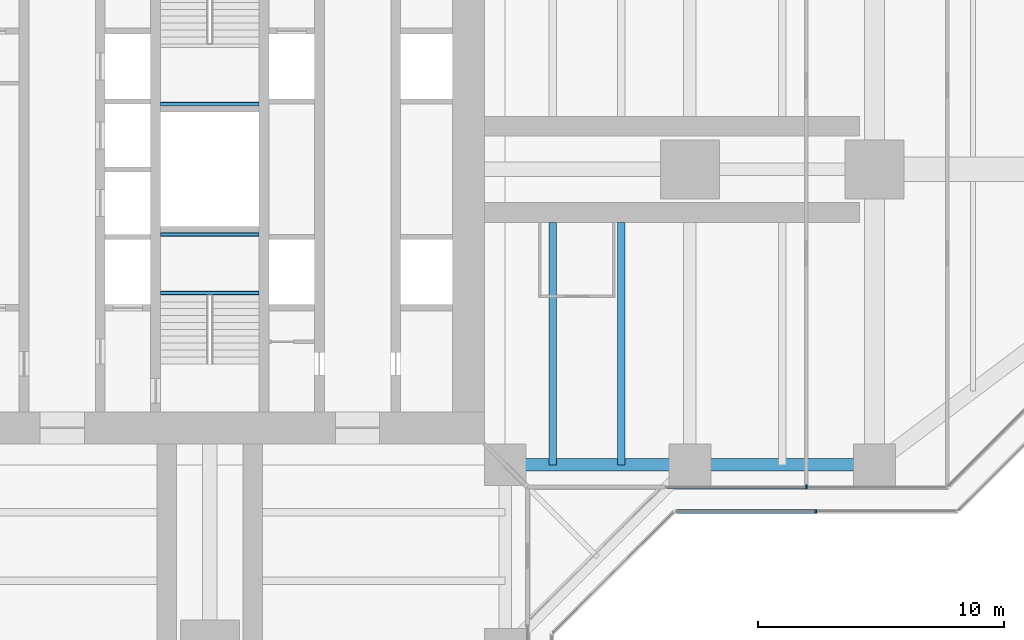
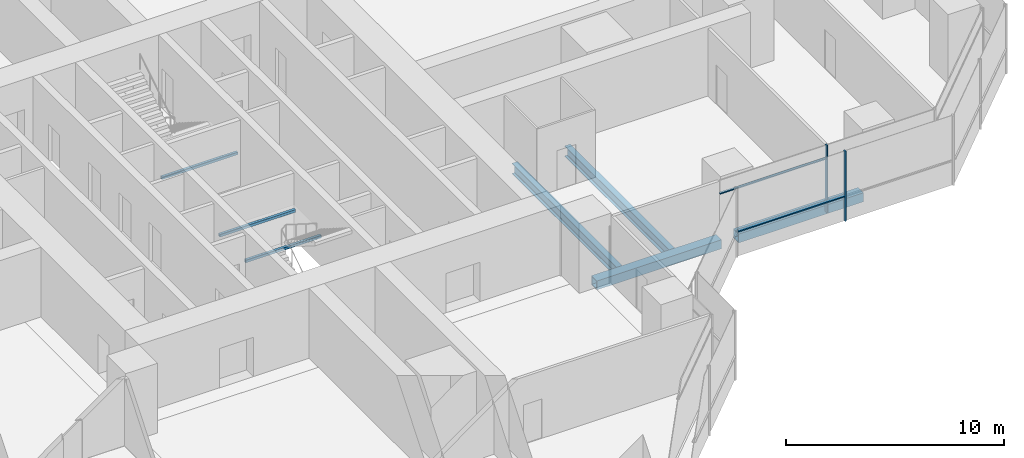
# One storey, part 5 of 20: 7 beams, 4 members, 2 elements without a shape of their own.
"""IFC4 building model written with IfcOpenShell, lengths in metres."""

from ifc_helpers import new_model, si_unit, direction, frame, origin, origin_2d, place, context, subcontext, project, spatial, rectangle, hollow_rectangle, i_section, extrude, material, material_profile, profile_set, type_object, element, aggregate, save


model = new_model("IFC4")

# Units and contexts
model_context = context("Model", 3, precision=1e-05, world=origin(), true_north=direction((0.0, 1.0)))
body_context = subcontext(model_context, "Body", "Model", "MODEL_VIEW")
ifc_project = project(units=[si_unit("LENGTHUNIT", "METRE"), si_unit("AREAUNIT", "SQUARE_METRE"), si_unit("VOLUMEUNIT", "CUBIC_METRE"), si_unit("PLANEANGLEUNIT", "RADIAN"), si_unit("MASSUNIT", "GRAM", prefix="KILO")], contexts=[model_context])

# Site, building, storey
site_placement = place(None, origin())
site = spatial("IfcSite", under=ifc_project, at=site_placement, CompositionType="ELEMENT")
building_placement = place(site_placement, origin())
building = spatial("IfcBuilding", under=site, at=building_placement, Name="Mizan Broadcast Tower", CompositionType="ELEMENT")
storey_placement = place(building_placement, frame((0.0, 0.0, 171.0)))
storey = spatial("IfcBuildingStorey", under=building, at=storey_placement, Name="L39", CompositionType="ELEMENT", Elevation=171.0)

# Beams
ifc_material_1 = material(Name="Steel S355", Category="steel")
ifc_material_profile_1 = material_profile(ifc_material_1, hollow_rectangle(XDim=0.5, YDim=0.5, WallThickness=0.030029296875, at=origin_2d()), Name="BOX 500x500x30")
ifc_profile_set_1 = profile_set([ifc_material_profile_1], Name="Steel S355")
beam_type_1 = type_object("IfcBeamType", Name="EDGE BEAM BOX 500x500x30", PredefinedType="SPANDREL", material=ifc_profile_set_1)
for number, where, z_axis, x_axis, name in (
    (1, (12.449951171875, -12.0, -0.3798828125), (1.0, 0.0, 0.0), (0.0, 1.0, 0.0), "Edge beam BOX 500x500x30 L39 east arm"),
    (2, (19.949951171875, -12.0, -0.3798828125), (1.0, 0.0, 0.0), (0.0, 1.0, 0.0), "Edge beam BOX 500x500x30 L39 east arm"),
):
    element("IfcBeam", number, at=place(storey_placement, frame(where, z_axis=z_axis, x_axis=x_axis)), inside=storey, type_object=beam_type_1, Name=name, PredefinedType="SPANDREL", context=body_context, shape_type="SweptSolid", body=[
        extrude(hollow_rectangle(XDim=0.5, YDim=0.5, WallThickness=0.030029296875, at=origin_2d()), origin(), (0.0, 0.0, 1.0), 6.60009765625),
    ])

# Curtain wall, members
ifc_material_2 = material(Name="Aluminium framed glazing", Category="aluminium")
curtain_wall_type_1 = type_object("IfcCurtainWallType", Name="INNER SKIN MID ZONE", PredefinedType="USERDEFINED", material=ifc_material_2)
curtain_wall_1_placement = place(storey_placement, origin())
curtain_wall_1 = element("IfcCurtainWall", 3, at=curtain_wall_1_placement, inside=storey, type_object=curtain_wall_type_1, Name="Inner skin mid zone L39 E side", ObjectType="INNER SKIN MID ZONE", PredefinedType="USERDEFINED")
ifc_material_3 = material(Name="Aluminium, pale anodised", Category="aluminium")
ifc_material_profile_2 = material_profile(ifc_material_3, rectangle(XDim=0.159912109375, YDim=0.06005859375, at=origin_2d()), Name="MULLION 160x60")
ifc_profile_set_2 = profile_set([ifc_material_profile_2], Name="Aluminium, pale anodised")
member_type_1 = type_object("IfcMemberType", Name="INNER SKIN MULLION 60x160", PredefinedType="MULLION", material=ifc_profile_set_2)
member_1_placement = place(storey_placement, frame((24.229248046875, -12.89990234375, 0.0), z_axis=(0.0, 0.0, 1.0), x_axis=(0.0, 1.0, 0.0)))
member_1 = element("IfcMember", 4, at=member_1_placement, type_object=member_type_1, Name="Inner skin mid zone L39 E side mullion 2", PredefinedType="MULLION", context=body_context, shape_type="SweptSolid", body=[
    extrude(rectangle(XDim=0.159912109375, YDim=0.06005859375, at=origin_2d()), origin(), (0.0, 0.0, 1.0), 3.77001953125),
])
ifc_material_4 = material(Name="Aluminium, pale anodised", Category="aluminium")
ifc_material_profile_3 = material_profile(ifc_material_4, rectangle(XDim=0.1201171875, YDim=0.06005859375, at=origin_2d()), Name="TRANSOM 120x60")
ifc_profile_set_3 = profile_set([ifc_material_profile_3], Name="Aluminium, pale anodised")
member_type_2 = type_object("IfcMemberType", Name="INNER SKIN TRANSOM 60x120", PredefinedType="USERDEFINED", material=ifc_profile_set_3)
member_2_placement = place(storey_placement, frame((18.56005859375, -12.89990234375, 3.030029296875), z_axis=(1.0, 0.0, 0.0), x_axis=(0.0, 1.0, 0.0)))
member_2 = element("IfcMember", 5, at=member_2_placement, type_object=member_type_2, Name="Inner skin mid zone L39 E side transom 1.1", ObjectType="TRANSOM", PredefinedType="USERDEFINED", context=body_context, shape_type="SweptSolid", body=[
    extrude(rectangle(XDim=0.1201171875, YDim=0.06005859375, at=origin_2d()), origin(), (0.0, 0.0, 1.0), 5.63916015625),
])
aggregate(curtain_wall_1, [member_1, member_2])

# Beams
ifc_material_5 = material(Name="Steel S355", Category="steel")
ifc_material_profile_4 = material_profile(ifc_material_5, hollow_rectangle(XDim=0.14990234375, YDim=0.14990234375, WallThickness=0.008056640625, InnerFilletRadius=0.008056640625, OuterFilletRadius=0.011962890625, at=origin_2d()), Name="SHS 150x150x8")
ifc_profile_set_4 = profile_set([ifc_material_profile_4], Name="Steel S355")
beam_type_2 = type_object("IfcBeamType", Name="LANDING TRIMMER SHS 150x150x8", PredefinedType="BEAM", material=ifc_profile_set_4)
for number, where, z_axis, x_axis, name in (
    (6, (-2.0, -5.02490234375, 1.675048828125), (1.0, 0.0, 0.0), (0.0, 1.0, 0.0), "Stair A landing trimmer L39"),
    (7, (-2.0, -2.64990234375, 1.675048828125), (1.0, 0.0, 0.0), (0.0, 1.0, 0.0), "Stair A landing trimmer L39"),
    (8, (2.0, 2.64990234375, 1.675048828125), (-1.0, 0.0, 0.0), (0.0, -1.0, 0.0), "Stair B landing trimmer L39"),
):
    element("IfcBeam", number, at=place(storey_placement, frame(where, z_axis=z_axis, x_axis=x_axis)), inside=storey, type_object=beam_type_2, Name=name, PredefinedType="BEAM", context=body_context, shape_type="SweptSolid", body=[
        extrude(hollow_rectangle(XDim=0.14990234375, YDim=0.14990234375, WallThickness=0.008056640625, InnerFilletRadius=0.008056640625, OuterFilletRadius=0.011962890625, at=origin_2d()), origin(), (0.0, 0.0, 1.0), 4.0),
    ])

# Curtain wall, members
ifc_material_6 = material(Name="Aluminium framed glazing", Category="aluminium")
curtain_wall_type_2 = type_object("IfcCurtainWallType", Name="OUTER SKIN", PredefinedType="USERDEFINED", material=ifc_material_6)
curtain_wall_2_placement = place(storey_placement, origin())
curtain_wall_2 = element("IfcCurtainWall", 9, at=curtain_wall_2_placement, inside=storey, type_object=curtain_wall_type_2, Name="Outer skin L39 E side", ObjectType="OUTER SKIN", PredefinedType="USERDEFINED")
ifc_material_7 = material(Name="Aluminium, pale anodised", Category="aluminium")
ifc_material_profile_5 = material_profile(ifc_material_7, rectangle(XDim=0.159912109375, YDim=0.080078125, at=origin_2d()), Name="MULLION 160x80")
ifc_profile_set_5 = profile_set([ifc_material_profile_5], Name="Aluminium, pale anodised")
member_type_3 = type_object("IfcMemberType", Name="OUTER SKIN MULLION 80x160", PredefinedType="MULLION", material=ifc_profile_set_5)
member_3_placement = place(storey_placement, frame((24.622802734375, -13.89990234375, 0.0), z_axis=(0.0, 0.0, 1.0), x_axis=(0.0, 1.0, 0.0)))
member_3 = element("IfcMember", 10, at=member_3_placement, type_object=member_type_3, Name="Outer skin L39 E side mullion 2", PredefinedType="MULLION", context=body_context, shape_type="SweptSolid", body=[
    extrude(rectangle(XDim=0.159912109375, YDim=0.080078125, at=origin_2d()), origin(), (0.0, 0.0, 1.0), 3.89990234375),
])
ifc_material_8 = material(Name="Aluminium, pale anodised", Category="aluminium")
ifc_material_profile_6 = material_profile(ifc_material_8, rectangle(XDim=0.159912109375, YDim=0.06005859375, at=origin_2d()), Name="TRANSOM 160x60")
ifc_profile_set_6 = profile_set([ifc_material_profile_6], Name="Aluminium, pale anodised")
member_type_4 = type_object("IfcMemberType", Name="OUTER SKIN TRANSOM 60x160", PredefinedType="USERDEFINED", material=ifc_profile_set_6)
member_4_placement = place(storey_placement, frame((18.952880859375, -13.89990234375, 1.39990234375), z_axis=(1.0, 0.0, 0.0), x_axis=(0.0, 1.0, 0.0)))
member_4 = element("IfcMember", 11, at=member_4_placement, type_object=member_type_4, Name="Outer skin L39 E side transom 1.1", ObjectType="TRANSOM", PredefinedType="USERDEFINED", context=body_context, shape_type="SweptSolid", body=[
    extrude(rectangle(XDim=0.159912109375, YDim=0.06005859375, at=origin_2d()), origin(), (0.0, 0.0, 1.0), 5.6298828125),
])
aggregate(curtain_wall_2, [member_3, member_4])

# Beams
ifc_material_9 = material(Name="Steel S355", Category="steel")
ifc_material_profile_7 = material_profile(ifc_material_9, i_section(OverallWidth=0.300048828125, OverallDepth=0.590087890625, WebThickness=0.012939453125, FlangeThickness=0.02490234375, FilletRadius=0.027099609375, at=origin_2d()), Name="HEA 600")
ifc_profile_set_7 = profile_set([ifc_material_profile_7], Name="Steel S355")
beam_type_3 = type_object("IfcBeamType", Name="SECONDARY BEAM HEA 600", PredefinedType="JOIST", material=ifc_profile_set_7)
for number, where, z_axis, x_axis, name in (
    (12, (13.933349609375, -12.0, -0.425048828125), (0.0, 1.0, 0.0), (-1.0, 0.0, 0.0), "Secondary beam HEA 600 L39 east arm"),
    (13, (16.716552734375, -12.0, -0.425048828125), (0.0, 1.0, 0.0), (-1.0, 0.0, 0.0), "Secondary beam HEA 600 L39 east arm"),
):
    element("IfcBeam", number, at=place(storey_placement, frame(where, z_axis=z_axis, x_axis=x_axis)), inside=storey, type_object=beam_type_3, Name=name, PredefinedType="JOIST", context=body_context, shape_type="SweptSolid", body=[
        extrude(i_section(OverallWidth=0.300048828125, OverallDepth=0.590087890625, WebThickness=0.012939453125, FlangeThickness=0.02490234375, FilletRadius=0.027099609375, at=origin_2d()), origin(), (0.0, 0.0, 1.0), 9.85009765625),
    ])

save(model, "model.ifc")
